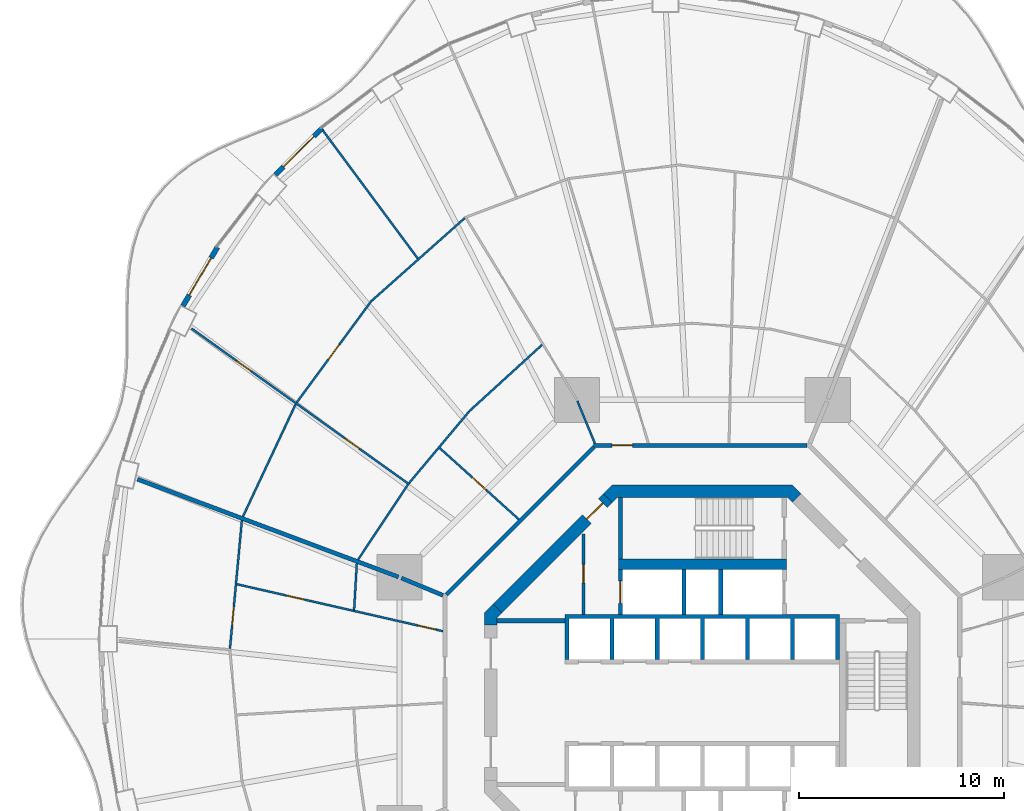
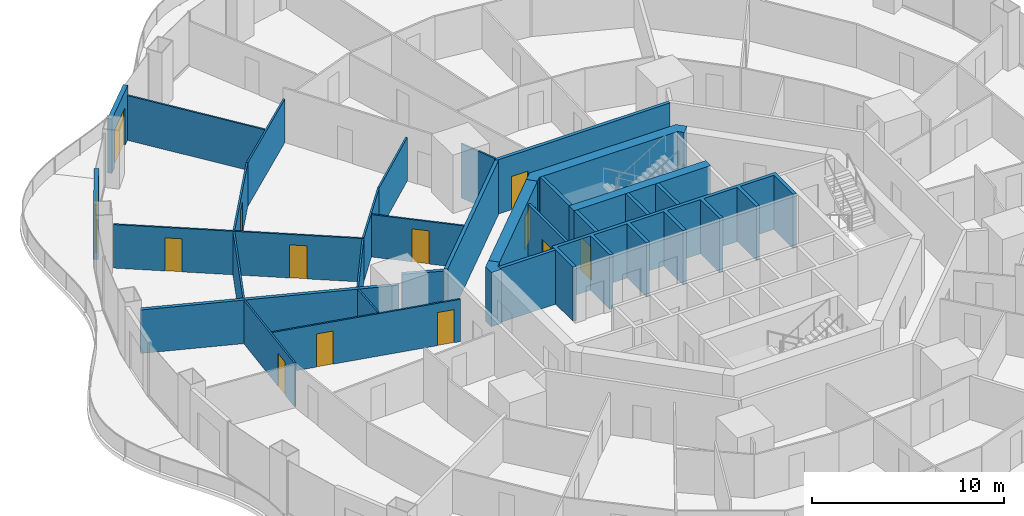
# One storey, part 17 of 22: 30 walls, 13 doors, 13 openings.
"""IFC4 building model written with IfcOpenShell, lengths in metres."""

from ifc_helpers import new_model, si_unit, direction, frame, frame_2d, origin, place, context, subcontext, project, spatial, polyline, rectangle, outline, extrude, material, layer, layer_set, type_object, element, fill, save


model = new_model("IFC4")

# Units and contexts
model_context = context("Model", 3, precision=1e-05, world=origin(), true_north=direction((0.0, 1.0)))
body_context = subcontext(model_context, "Body", "Model", "MODEL_VIEW")
ifc_project = project(units=[si_unit("LENGTHUNIT", "METRE"), si_unit("AREAUNIT", "SQUARE_METRE"), si_unit("VOLUMEUNIT", "CUBIC_METRE"), si_unit("PLANEANGLEUNIT", "RADIAN"), si_unit("MASSUNIT", "GRAM", prefix="KILO")], contexts=[model_context])

# Site, building, storey
site_placement = place(None, origin())
site = spatial("IfcSite", under=ifc_project, at=site_placement, CompositionType="ELEMENT")
building_placement = place(site_placement, origin())
building = spatial("IfcBuilding", under=site, at=building_placement, Name="Nagisa Residences", CompositionType="ELEMENT")
storey_placement = place(building_placement, frame((0.0, 0.0, 88.10009765625)))
storey = spatial("IfcBuildingStorey", under=building, at=storey_placement, Name="L21", CompositionType="ELEMENT", Elevation=88.10009765625)

# Walls
ifc_material_1 = material(Name="Gypsum board on steel studs", Category="steel")
ifc_layer_1 = layer(ifc_material_1, 0.199951171875)
ifc_layer_set_1 = layer_set([ifc_layer_1], Name="Apartment compartment wall EI60 200")
wall_type_1 = type_object("IfcWallType", Name="Apartment compartment wall EI60 200", PredefinedType="PARTITIONING", material=ifc_layer_set_1)
wall_1_placement = place(storey_placement, frame((-12.6572265625, 5.24267578125, 0.0), z_axis=(0.0, 0.0, 1.0), x_axis=(-0.923843626288, 0.382770106157, 0.0)))
element("IfcWall", 1, at=wall_1_placement, inside=storey, type_object=wall_type_1, Name="wall:L21:u02", PredefinedType="PARTITIONING", context=body_context, shape_type="SweptSolid", body=[
    extrude(rectangle(XDim=2.19921875, YDim=0.199951171875, at=frame_2d((1.099609375, 0.0))), origin(), (0.0, 0.0, 1.0), 3.43994140625),
])
wall_2_placement = place(storey_placement, frame((-14.828857421875, 6.140380859375, 0.0), z_axis=(0.0, 0.0, 1.0), x_axis=(-0.936597324342, 0.35040755134, 0.0)))
element("IfcWall", 2, at=wall_2_placement, inside=storey, type_object=wall_type_1, Name="wall:L21:u03", PredefinedType="PARTITIONING", context=body_context, shape_type="SweptSolid", body=[
    extrude(rectangle(XDim=13.605712890625, YDim=0.199951171875, at=frame_2d((6.802734375, 0.0))), origin(), (0.0, 0.0, 1.0), 2.761962890625),
])

# Wall, opening, door
ifc_material_2 = material(Name="Gypsum board on steel studs", Category="steel")
ifc_layer_2 = layer(ifc_material_2, 0.199951171875)
ifc_layer_set_2 = layer_set([ifc_layer_2], Name="Apartment entry wall EI60 200")
wall_type_2 = type_object("IfcWallType", Name="Apartment entry wall EI60 200", PredefinedType="PARTITIONING", material=ifc_layer_set_2)
wall_3_placement = place(storey_placement, frame((5.1044921875, 12.564697265625, 0.0), z_axis=(0.0, 0.0, 1.0), x_axis=(-1.0, 0.0, 0.0)))
wall_3 = element("IfcWall", 3, at=wall_3_placement, inside=storey, type_object=wall_type_2, Name="wall:L21:u12", PredefinedType="PARTITIONING", context=body_context, shape_type="SweptSolid", body=[
    extrude(rectangle(XDim=10.408935546875, YDim=0.199951171875, at=frame_2d((5.20458984375, 0.0))), origin(), (0.0, 0.0, 1.0), 3.43994140625),
])
opening_1_placement = place(wall_3_placement, frame((8.5078125, 0.0, 0.0)))
opening_1 = element("IfcOpeningElement", 4, at=opening_1_placement, cuts=wall_3, Name="Opening L21-U01", PredefinedType="OPENING", context=body_context, shape_type="SweptSolid", body=[
    extrude(rectangle(XDim=1.0, YDim=2.10009765625, at=frame_2d((0.5, 1.050048828125))), frame((0.0, 0.10986328125, 0.0), z_axis=(0.0, -1.0, 0.0), x_axis=(1.0, 0.0, 0.0)), (0.0, 0.0, 1.0), 0.219970703125),
])
ifc_material_3 = material(Name="Timber fire door set", Category="wood")
door_type_1 = type_object("IfcDoorType", Name="Apartment entry door FD30S 1000x2100", OperationType="NOTDEFINED", PredefinedType="DOOR", material=ifc_material_3)
door_1_placement = place(opening_1_placement, frame((1.0, 0.0, 0.0), x_axis=(-1.0, 0.0, 0.0)))
door_1 = element("IfcDoor", 5, at=door_1_placement, inside=storey, type_object=door_type_1, Name="Entry door, Apartment 21A", OperationType="SINGLE_SWING_RIGHT", OverallHeight=2.10009765625, OverallWidth=1.0, PredefinedType="DOOR", context=body_context, shape_type="SweptSolid", body=[
    extrude(rectangle(XDim=1.0, YDim=2.10009765625, at=frame_2d((0.5, 1.050048828125))), frame((0.0, 0.02490234375, 0.0), z_axis=(0.0, -1.0, 0.0), x_axis=(1.0, 0.0, 0.0)), (0.0, 0.0, 1.0), 0.050048828125),
])
fill(opening_1, door_1)

# Walls
wall_4_placement = place(storey_placement, frame((-5.275146484375, 12.494140625, 0.0), z_axis=(0.0, 0.0, 1.0), x_axis=(-0.707106781187, -0.707106781187, 0.0)))
element("IfcWall", 6, at=wall_4_placement, inside=storey, type_object=wall_type_2, Name="wall:L21:u13", PredefinedType="PARTITIONING", context=body_context, shape_type="SweptSolid", body=[
    extrude(rectangle(XDim=10.209228515625, YDim=0.199951171875, at=frame_2d((5.1044921875, 0.0))), origin(), (0.0, 0.0, 1.0), 3.43994140625),
])
ifc_material_4 = material(Name="Gypsum board on steel studs", Category="steel")
ifc_layer_3 = layer(ifc_material_4, 0.10009765625)
ifc_layer_set_3 = layer_set([ifc_layer_3], Name="Apartment partition 100")
wall_type_3 = type_object("IfcWallType", Name="Apartment partition 100", PredefinedType="PARTITIONING", material=ifc_layer_set_3)
wall_5_placement = place(storey_placement, frame((-5.24267578125, 12.6572265625, 0.0), z_axis=(0.0, 0.0, 1.0), x_axis=(-0.382703272338, 0.923871314276, 0.0)))
element("IfcWall", 7, at=wall_5_placement, inside=storey, type_object=wall_type_3, Name="wall:L21:u45", PredefinedType="PARTITIONING", context=body_context, shape_type="SweptSolid", body=[
    extrude(rectangle(XDim=2.249267578125, YDim=0.10009765625, at=frame_2d((1.12451171875, 0.0))), origin(), (0.0, 0.0, 1.0), 3.43994140625),
])
wall_6_placement = place(storey_placement, frame((-7.81982421875, 17.471923828125, 0.0), z_axis=(0.0, 0.0, 1.0), x_axis=(-0.73885182489, -0.67386792538, 0.0)))
element("IfcWall", 8, at=wall_6_placement, inside=storey, type_object=wall_type_3, Name="wall:L21:u47", PredefinedType="PARTITIONING", context=body_context, shape_type="SweptSolid", body=[
    extrude(rectangle(XDim=4.846435546875, YDim=0.10009765625, at=frame_2d((2.42333984375, 0.0))), origin(), (0.0, 0.0, 1.0), 2.761962890625),
])
wall_7_placement = place(storey_placement, frame((-11.5908203125, 23.65966796875, 0.0), z_axis=(0.0, 0.0, 1.0), x_axis=(-0.747429278403, -0.664341383466, 0.0)))
element("IfcWall", 9, at=wall_7_placement, inside=storey, type_object=wall_type_3, Name="wall:L21:u48", PredefinedType="PARTITIONING", context=body_context, shape_type="SweptSolid", body=[
    extrude(rectangle(XDim=6.073486328125, YDim=0.10009765625, at=frame_2d((3.03662109375, 0.0))), origin(), (0.0, 0.0, 1.0), 2.761962890625),
])
wall_8_placement = place(storey_placement, frame((-13.890380859375, 21.682373046875, 0.0), z_axis=(0.0, 0.0, 1.0), x_axis=(-0.595256113594, 0.803536034804, 0.0)))
element("IfcWall", 10, at=wall_8_placement, inside=storey, type_object=wall_type_3, Name="wall:L21:u49", PredefinedType="PARTITIONING", context=body_context, shape_type="SweptSolid", body=[
    extrude(rectangle(XDim=7.971923828125, YDim=0.10009765625, at=frame_2d((3.98583984375, 0.0))), origin(), (0.0, 0.0, 1.0), 2.8369140625),
])
wall_9_placement = place(storey_placement, frame((-11.39599609375, 14.20166015625, 0.0), z_axis=(0.0, 0.0, 1.0), x_axis=(-0.642483859922, -0.766299216847, 0.0)))
element("IfcWall", 11, at=wall_9_placement, inside=storey, type_object=wall_type_3, Name="wall:L21:u50", PredefinedType="PARTITIONING", context=body_context, shape_type="SweptSolid", body=[
    extrude(rectangle(XDim=4.537109375, YDim=0.10009765625, at=frame_2d((2.2685546875, 0.0))), origin(), (0.0, 0.0, 1.0), 2.761962890625),
])

# Wall, opening, door
wall_10_placement = place(storey_placement, frame((-16.137939453125, 19.6318359375, 0.0), z_axis=(0.0, 0.0, 1.0), x_axis=(-0.592401008469, -0.805643249314, 0.0)))
wall_10 = element("IfcWall", 12, at=wall_10_placement, inside=storey, type_object=wall_type_3, Name="wall:L21:u51", PredefinedType="PARTITIONING", context=body_context, shape_type="SweptSolid", body=[
    extrude(rectangle(XDim=6.18017578125, YDim=0.10009765625, at=frame_2d((3.090087890625, 0.0))), origin(), (0.0, 0.0, 1.0), 2.761962890625),
])
opening_2_placement = place(wall_10_placement, frame((2.6650390625, 0.0, 0.0)))
opening_2 = element("IfcOpeningElement", 13, at=opening_2_placement, cuts=wall_10, Name="Opening L21-U12", PredefinedType="OPENING", context=body_context, shape_type="SweptSolid", body=[
    extrude(rectangle(XDim=0.89990234375, YDim=2.10009765625, at=frame_2d((0.449951171875, 1.050048828125))), frame((0.0, 0.06005859375, 0.0), z_axis=(0.0, -1.0, 0.0), x_axis=(1.0, 0.0, 0.0)), (0.0, 0.0, 1.0), 0.1201171875),
])
ifc_material_5 = material(Name="Timber door set", Category="wood")
door_type_2 = type_object("IfcDoorType", Name="Apartment door 900x2100", OperationType="NOTDEFINED", PredefinedType="DOOR", material=ifc_material_5)
door_2_placement = place(opening_2_placement, frame((0.89990234375, 0.0, 0.0), x_axis=(-1.0, 0.0, 0.0)))
door_2 = element("IfcDoor", 14, at=door_2_placement, inside=storey, type_object=door_type_2, Name="Door to living room, Apartment 21A", OperationType="SINGLE_SWING_LEFT", OverallHeight=2.10009765625, OverallWidth=0.89990234375, PredefinedType="DOOR", context=body_context, shape_type="SweptSolid", body=[
    extrude(rectangle(XDim=0.89990234375, YDim=2.10009765625, at=frame_2d((0.449951171875, 1.050048828125))), frame((0.0, 0.02490234375, 0.0), z_axis=(0.0, -1.0, 0.0), x_axis=(1.0, 0.0, 0.0)), (0.0, 0.0, 1.0), 0.050048828125),
])
fill(opening_2, door_2)

wall_11_placement = place(storey_placement, frame((-8.958984375, 8.95166015625, 0.0), z_axis=(0.0, 0.0, 1.0), x_axis=(-0.742686144764, 0.669639672045, 0.0)))
wall_11 = element("IfcWall", 15, at=wall_11_placement, inside=storey, type_object=wall_type_3, Name="wall:L21:u52", PredefinedType="PARTITIONING", context=body_context, shape_type="SweptSolid", body=[
    extrude(rectangle(XDim=5.19384765625, YDim=0.10009765625, at=frame_2d((2.596923828125, 0.0))), origin(), (0.0, 0.0, 1.0), 2.68701171875),
])
opening_3_placement = place(wall_11_placement, frame((2.14697265625, 0.0, 0.0)))
opening_3 = element("IfcOpeningElement", 16, at=opening_3_placement, cuts=wall_11, Name="Opening L21-U04", PredefinedType="OPENING", context=body_context, shape_type="SweptSolid", body=[
    extrude(rectangle(XDim=0.89990234375, YDim=2.10009765625, at=frame_2d((0.449951171875, 1.050048828125))), frame((0.0, 0.06005859375, 0.0), z_axis=(0.0, -1.0, 0.0), x_axis=(1.0, 0.0, 0.0)), (0.0, 0.0, 1.0), 0.1201171875),
])
door_3_placement = place(opening_3_placement, origin())
door_3 = element("IfcDoor", 17, at=door_3_placement, inside=storey, type_object=door_type_2, Name="Door to laundry, Apartment 21A", OperationType="SINGLE_SWING_RIGHT", OverallHeight=2.10009765625, OverallWidth=0.89990234375, PredefinedType="DOOR", context=body_context, shape_type="SweptSolid", body=[
    extrude(rectangle(XDim=0.89990234375, YDim=2.10009765625, at=frame_2d((0.449951171875, 1.050048828125))), frame((0.0, 0.02490234375, 0.0), z_axis=(0.0, -1.0, 0.0), x_axis=(1.0, 0.0, 0.0)), (0.0, 0.0, 1.0), 0.050048828125),
])
fill(opening_3, door_3)

# Wall, openings, doors
wall_12_placement = place(storey_placement, frame((-14.302490234375, 10.657470703125, 0.0), z_axis=(0.0, 0.0, 1.0), x_axis=(-0.813183002698, 0.582008079087, 0.0)))
wall_12 = element("IfcWall", 18, at=wall_12_placement, inside=storey, type_object=wall_type_3, Name="wall:L21:u53", PredefinedType="PARTITIONING", context=body_context, shape_type="SweptSolid", body=[
    extrude(rectangle(XDim=13.074462890625, YDim=0.10009765625, at=frame_2d((6.537109375, 0.0))), origin(), (0.0, 0.0, 1.0), 2.761962890625),
])
opening_4_placement = place(wall_12_placement, frame((2.972900390625, 0.0, 0.0)))
opening_4 = element("IfcOpeningElement", 19, at=opening_4_placement, cuts=wall_12, Name="Opening L21-U08", PredefinedType="OPENING", context=body_context, shape_type="SweptSolid", body=[
    extrude(rectangle(XDim=0.89990234375, YDim=2.10009765625, at=frame_2d((0.449951171875, 1.050048828125))), frame((0.0, 0.06005859375, 0.0), z_axis=(0.0, -1.0, 0.0), x_axis=(1.0, 0.0, 0.0)), (0.0, 0.0, 1.0), 0.1201171875),
])
opening_5_placement = place(wall_12_placement, frame((9.485107421875, 0.0, 0.0)))
opening_5 = element("IfcOpeningElement", 20, at=opening_5_placement, cuts=wall_12, Name="Opening L21-U13", PredefinedType="OPENING", context=body_context, shape_type="SweptSolid", body=[
    extrude(rectangle(XDim=0.89990234375, YDim=2.10009765625, at=frame_2d((0.449951171875, 1.050048828125))), frame((0.0, 0.06005859375, 0.0), z_axis=(0.0, -1.0, 0.0), x_axis=(1.0, 0.0, 0.0)), (0.0, 0.0, 1.0), 0.1201171875),
])
door_4_placement = place(opening_4_placement, origin())
door_4 = element("IfcDoor", 21, at=door_4_placement, inside=storey, type_object=door_type_2, Name="Door to study, Apartment 21A", OperationType="SINGLE_SWING_RIGHT", OverallHeight=2.10009765625, OverallWidth=0.89990234375, PredefinedType="DOOR", context=body_context, shape_type="SweptSolid", body=[
    extrude(rectangle(XDim=0.89990234375, YDim=2.10009765625, at=frame_2d((0.449951171875, 1.050048828125))), frame((0.0, 0.02490234375, 0.0), z_axis=(0.0, -1.0, 0.0), x_axis=(1.0, 0.0, 0.0)), (0.0, 0.0, 1.0), 0.050048828125),
])
fill(opening_4, door_4)
door_5_placement = place(opening_5_placement, origin())
door_5 = element("IfcDoor", 22, at=door_5_placement, inside=storey, type_object=door_type_2, Name="Door to master bedroom, Apartment 21A", OperationType="SINGLE_SWING_LEFT", OverallHeight=2.10009765625, OverallWidth=0.89990234375, PredefinedType="DOOR", context=body_context, shape_type="SweptSolid", body=[
    extrude(rectangle(XDim=0.89990234375, YDim=2.10009765625, at=frame_2d((0.449951171875, 1.050048828125))), frame((0.0, 0.02490234375, 0.0), z_axis=(0.0, -1.0, 0.0), x_axis=(1.0, 0.0, 0.0)), (0.0, 0.0, 1.0), 0.050048828125),
])
fill(opening_5, door_5)

# Walls
wall_13_placement = place(storey_placement, frame((-14.370849609375, 10.64501953125, 0.0), z_axis=(0.0, 0.0, 1.0), x_axis=(-0.553341009285, -0.832954817168, 0.0)))
element("IfcWall", 23, at=wall_13_placement, inside=storey, type_object=wall_type_3, Name="wall:L21:u54", PredefinedType="PARTITIONING", context=body_context, shape_type="SweptSolid", body=[
    extrude(rectangle(XDim=4.396240234375, YDim=0.10009765625, at=frame_2d((2.1982421875, 0.0))), origin(), (0.0, 0.0, 1.0), 2.761962890625),
])
wall_14_placement = place(storey_placement, frame((-19.85009765625, 14.5673828125, 0.0), z_axis=(0.0, 0.0, 1.0), x_axis=(-0.424942210745, -0.905220480064, 0.0)))
element("IfcWall", 24, at=wall_14_placement, inside=storey, type_object=wall_type_3, Name="wall:L21:u55", PredefinedType="PARTITIONING", context=body_context, shape_type="SweptSolid", body=[
    extrude(rectangle(XDim=6.05322265625, YDim=0.10009765625, at=frame_2d((3.026611328125, 0.0))), origin(), (0.0, 0.0, 1.0), 2.761962890625),
])
wall_15_placement = place(storey_placement, frame((-16.864501953125, 6.800048828125, 0.0), z_axis=(0.0, 0.0, 1.0), x_axis=(-0.057751176984, -0.998331008011, 0.0)))
element("IfcWall", 25, at=wall_15_placement, inside=storey, type_object=wall_type_3, Name="wall:L21:u56", PredefinedType="PARTITIONING", context=body_context, shape_type="SweptSolid", body=[
    extrude(rectangle(XDim=2.2998046875, YDim=0.10009765625, at=frame_2d((1.14990234375, 0.0))), origin(), (0.0, 0.0, 1.0), 2.761962890625),
])

# Wall, opening, door
wall_16_placement = place(storey_placement, frame((-22.47412109375, 8.897705078125, 0.0), z_axis=(0.0, 0.0, 1.0), x_axis=(-0.092756864489, -0.995688788774, 0.0)))
wall_16 = element("IfcWall", 26, at=wall_16_placement, inside=storey, type_object=wall_type_3, Name="wall:L21:u57", PredefinedType="PARTITIONING", context=body_context, shape_type="SweptSolid", body=[
    extrude(rectangle(XDim=6.28271484375, YDim=0.10009765625, at=frame_2d((3.141357421875, 0.0))), origin(), (0.0, 0.0, 1.0), 2.761962890625),
])
opening_6_placement = place(wall_16_placement, frame((4.24951171875, 0.0, 0.0)))
opening_6 = element("IfcOpeningElement", 27, at=opening_6_placement, cuts=wall_16, Name="Opening L21-U22", PredefinedType="OPENING", context=body_context, shape_type="SweptSolid", body=[
    extrude(rectangle(XDim=0.89990234375, YDim=2.10009765625, at=frame_2d((0.449951171875, 1.050048828125))), frame((0.0, 0.06005859375, 0.0), z_axis=(0.0, -1.0, 0.0), x_axis=(1.0, 0.0, 0.0)), (0.0, 0.0, 1.0), 0.1201171875),
])
door_6_placement = place(opening_6_placement, frame((0.89990234375, 0.0, 0.0), x_axis=(-1.0, 0.0, 0.0)))
door_6 = element("IfcDoor", 28, at=door_6_placement, inside=storey, type_object=door_type_2, Name="Door to master bedroom, Apartment 21B", OperationType="SINGLE_SWING_LEFT", OverallHeight=2.10009765625, OverallWidth=0.89990234375, PredefinedType="DOOR", context=body_context, shape_type="SweptSolid", body=[
    extrude(rectangle(XDim=0.89990234375, YDim=2.10009765625, at=frame_2d((0.449951171875, 1.050048828125))), frame((0.0, 0.02490234375, 0.0), z_axis=(0.0, -1.0, 0.0), x_axis=(1.0, 0.0, 0.0)), (0.0, 0.0, 1.0), 0.050048828125),
])
fill(opening_6, door_6)

# Wall, openings, doors
wall_17_placement = place(storey_placement, frame((-12.662353515625, 3.491943359375, 0.0), z_axis=(0.0, 0.0, 1.0), x_axis=(-0.974981662956, 0.22228530518, 0.0)))
wall_17 = element("IfcWall", 29, at=wall_17_placement, inside=storey, type_object=wall_type_3, Name="wall:L21:u58", PredefinedType="PARTITIONING", context=body_context, shape_type="SweptSolid", body=[
    extrude(rectangle(XDim=10.31005859375, YDim=0.10009765625, at=frame_2d((5.155029296875, 0.0))), origin(), (0.0, 0.0, 1.0), 2.68701171875),
])
opening_7_placement = place(wall_17_placement, frame((0.35009765625, 0.0, 0.0)))
opening_7 = element("IfcOpeningElement", 30, at=opening_7_placement, cuts=wall_17, Name="Opening L21-U18", PredefinedType="OPENING", context=body_context, shape_type="SweptSolid", body=[
    extrude(rectangle(XDim=0.89990234375, YDim=2.10009765625, at=frame_2d((0.449951171875, 1.050048828125))), frame((0.0, 0.06005859375, 0.0), z_axis=(0.0, -1.0, 0.0), x_axis=(1.0, 0.0, 0.0)), (0.0, 0.0, 1.0), 0.1201171875),
])
opening_8_placement = place(wall_17_placement, frame((6.930908203125, 0.0, 0.0)))
opening_8 = element("IfcOpeningElement", 31, at=opening_8_placement, cuts=wall_17, Name="Opening L21-U20", PredefinedType="OPENING", context=body_context, shape_type="SweptSolid", body=[
    extrude(rectangle(XDim=0.89990234375, YDim=2.10009765625, at=frame_2d((0.449951171875, 1.050048828125))), frame((0.0, 0.06005859375, 0.0), z_axis=(0.0, -1.0, 0.0), x_axis=(1.0, 0.0, 0.0)), (0.0, 0.0, 1.0), 0.1201171875),
])
door_7_placement = place(opening_7_placement, frame((0.89990234375, 0.0, 0.0), x_axis=(-1.0, 0.0, 0.0)))
door_7 = element("IfcDoor", 32, at=door_7_placement, inside=storey, type_object=door_type_2, Name="Door to family bathroom, Apartment 21B", OperationType="SINGLE_SWING_LEFT", OverallHeight=2.10009765625, OverallWidth=0.89990234375, PredefinedType="DOOR", context=body_context, shape_type="SweptSolid", body=[
    extrude(rectangle(XDim=0.89990234375, YDim=2.10009765625, at=frame_2d((0.449951171875, 1.050048828125))), frame((0.0, 0.02490234375, 0.0), z_axis=(0.0, -1.0, 0.0), x_axis=(1.0, 0.0, 0.0)), (0.0, 0.0, 1.0), 0.050048828125),
])
fill(opening_7, door_7)
door_8_placement = place(opening_8_placement, frame((0.89990234375, 0.0, 0.0), x_axis=(-1.0, 0.0, 0.0)))
door_8 = element("IfcDoor", 33, at=door_8_placement, inside=storey, type_object=door_type_2, Name="Door to family bathroom, Apartment 21B", OperationType="SINGLE_SWING_LEFT", OverallHeight=2.10009765625, OverallWidth=0.89990234375, PredefinedType="DOOR", context=body_context, shape_type="SweptSolid", body=[
    extrude(rectangle(XDim=0.89990234375, YDim=2.10009765625, at=frame_2d((0.449951171875, 1.050048828125))), frame((0.0, 0.02490234375, 0.0), z_axis=(0.0, -1.0, 0.0), x_axis=(1.0, 0.0, 0.0)), (0.0, 0.0, 1.0), 0.050048828125),
])
fill(opening_8, door_8)

# Wall, opening, door
ifc_material_6 = material(Name="Precast concrete C40/50", Category="concrete")
ifc_layer_4 = layer(ifc_material_6, 0.25)
ifc_layer_set_4 = layer_set([ifc_layer_4], Name="BALCONY DOOR WALL 250")
wall_type_4 = type_object("IfcWallType", Name="BALCONY DOOR WALL 250", PredefinedType="SOLIDWALL", material=ifc_layer_set_4)
wall_18_placement = place(storey_placement, frame((-20.8349609375, 25.772705078125, 0.0), z_axis=(0.0, 0.0, 1.0), x_axis=(0.707831646613, 0.706381171927, 0.0)))
wall_18 = element("IfcWall", 34, at=wall_18_placement, inside=storey, type_object=wall_type_4, Name="wall:L21:bay17", PredefinedType="SOLIDWALL", context=body_context, shape_type="SweptSolid", body=[
    extrude(rectangle(XDim=3.197998046875, YDim=0.25, at=frame_2d((1.59912109375, 0.0))), origin(), (0.0, 0.0, 1.0), 3.43994140625),
])
opening_9_placement = place(wall_18_placement, frame((0.548828125, 0.0, 0.0)))
opening_9 = element("IfcOpeningElement", 35, at=opening_9_placement, cuts=wall_18, Name="Opening BD-L21-06", PredefinedType="OPENING", context=body_context, shape_type="SweptSolid", body=[
    extrude(rectangle(XDim=2.10009765625, YDim=2.39990234375, at=frame_2d((1.050048828125, 1.199951171875))), frame((0.0, 0.135009765625, 0.0), z_axis=(0.0, -1.0, 0.0), x_axis=(1.0, 0.0, 0.0)), (0.0, 0.0, 1.0), 0.27001953125),
])
ifc_material_7 = material(Name="Aluminium and clear glass", Category="aluminium")
door_type_3 = type_object("IfcDoorType", Name="BALCONY SLIDING DOOR 2100x2400", OperationType="SLIDING_TO_LEFT", PredefinedType="DOOR", material=ifc_material_7)
door_9_placement = place(opening_9_placement, origin())
door_9 = element("IfcDoor", 36, at=door_9_placement, inside=storey, type_object=door_type_3, Name="door:L21:bay17", OperationType="SLIDING_TO_LEFT", OverallHeight=2.39990234375, OverallWidth=2.10009765625, PredefinedType="DOOR", context=body_context, shape_type="SweptSolid", body=[
    extrude(rectangle(XDim=2.10009765625, YDim=2.39990234375, at=frame_2d((1.050048828125, 1.199951171875))), frame((0.0, 0.02490234375, 0.0), z_axis=(0.0, -1.0, 0.0), x_axis=(1.0, 0.0, 0.0)), (0.0, 0.0, 1.0), 0.050048828125),
])
fill(opening_9, door_9)

wall_19_placement = place(storey_placement, frame((-25.34765625, 19.372314453125, 0.0), z_axis=(0.0, 0.0, 1.0), x_axis=(0.506352525095, 0.86232657406, 0.0)))
wall_19 = element("IfcWall", 37, at=wall_19_placement, inside=storey, type_object=wall_type_4, Name="wall:L21:bay19", PredefinedType="SOLIDWALL", context=body_context, shape_type="SweptSolid", body=[
    extrude(rectangle(XDim=3.324951171875, YDim=0.25, at=frame_2d((1.66259765625, 0.0))), origin(), (0.0, 0.0, 1.0), 3.43994140625),
])
opening_10_placement = place(wall_19_placement, frame((0.6123046875, 0.0, 0.0)))
opening_10 = element("IfcOpeningElement", 38, at=opening_10_placement, cuts=wall_19, Name="Opening BD-L21-07", PredefinedType="OPENING", context=body_context, shape_type="SweptSolid", body=[
    extrude(rectangle(XDim=2.10009765625, YDim=2.39990234375, at=frame_2d((1.050048828125, 1.199951171875))), frame((0.0, 0.135009765625, 0.0), z_axis=(0.0, -1.0, 0.0), x_axis=(1.0, 0.0, 0.0)), (0.0, 0.0, 1.0), 0.27001953125),
])
door_10_placement = place(opening_10_placement, origin())
door_10 = element("IfcDoor", 39, at=door_10_placement, inside=storey, type_object=door_type_3, Name="door:L21:bay19", OperationType="SLIDING_TO_LEFT", OverallHeight=2.39990234375, OverallWidth=2.10009765625, PredefinedType="DOOR", context=body_context, shape_type="SweptSolid", body=[
    extrude(rectangle(XDim=2.10009765625, YDim=2.39990234375, at=frame_2d((1.050048828125, 1.199951171875))), frame((0.0, 0.02490234375, 0.0), z_axis=(0.0, -1.0, 0.0), x_axis=(1.0, 0.0, 0.0)), (0.0, 0.0, 1.0), 0.050048828125),
])
fill(opening_10, door_10)

ifc_material_8 = material(Name="Gypsum board on steel studs", Category="steel")
ifc_layer_5 = layer(ifc_material_8, 0.14990234375)
ifc_layer_set_5 = layer_set([ifc_layer_5], Name="Core partition 150")
wall_type_5 = type_object("IfcWallType", Name="Core partition 150", PredefinedType="PARTITIONING", material=ifc_layer_set_5)
wall_20_placement = place(storey_placement, frame((-5.800048828125, 4.300048828125, 0.0), z_axis=(0.0, 0.0, 1.0), x_axis=(0.0, 1.0, 0.0)))
wall_20 = element("IfcWall", 40, at=wall_20_placement, inside=storey, type_object=wall_type_5, Name="wall:L21:NWp", PredefinedType="PARTITIONING", context=body_context, shape_type="SweptSolid", body=[
    extrude(rectangle(XDim=3.927001953125, YDim=0.14990234375, at=frame_2d((1.96337890625, 0.0))), origin(), (0.0, 0.0, 1.0), 3.43994140625),
])
opening_11_placement = place(wall_20_placement, frame((1.551025390625, 0.0, 0.0)))
opening_11 = element("IfcOpeningElement", 41, at=opening_11_placement, cuts=wall_20, Name="Opening L21-C12", PredefinedType="OPENING", context=body_context, shape_type="SweptSolid", body=[
    extrude(rectangle(XDim=0.89990234375, YDim=2.10009765625, at=frame_2d((0.449951171875, 1.050048828125))), frame((0.0, 0.0849609375, 0.0), z_axis=(0.0, -1.0, 0.0), x_axis=(1.0, 0.0, 0.0)), (0.0, 0.0, 1.0), 0.169921875),
])
ifc_material_9 = material(Name="Steel fire door", Category="steel")
door_type_4 = type_object("IfcDoorType", Name="Fire door EI30 900x2100 single swing", OperationType="NOTDEFINED", PredefinedType="DOOR", material=ifc_material_9)
door_11_placement = place(opening_11_placement, origin())
door_11 = element("IfcDoor", 42, at=door_11_placement, inside=storey, type_object=door_type_4, Name="Linen store door L21", OperationType="SINGLE_SWING_RIGHT", OverallHeight=2.10009765625, OverallWidth=0.89990234375, PredefinedType="DOOR", context=body_context, shape_type="SweptSolid", body=[
    extrude(rectangle(XDim=0.89990234375, YDim=2.10009765625, at=frame_2d((0.449951171875, 1.050048828125))), frame((0.0, 0.02490234375, 0.0), z_axis=(0.0, -1.0, 0.0), x_axis=(1.0, 0.0, 0.0)), (0.0, 0.0, 1.0), 0.050048828125),
])
fill(opening_11, door_11)

# Wall
ifc_material_10 = material(Name="Gypsum board on steel studs", Category="steel")
ifc_layer_6 = layer(ifc_material_10, 0.199951171875)
ifc_layer_set_6 = layer_set([ifc_layer_6], Name="Core partition 200")
wall_type_6 = type_object("IfcWallType", Name="Core partition 200", PredefinedType="PARTITIONING", material=ifc_layer_set_6)
wall_21_placement = place(storey_placement, frame((-10.024658203125, 4.0, 0.0), z_axis=(0.0, 0.0, 1.0), x_axis=(1.0, 0.0, 0.0)))
element("IfcWall", 43, at=wall_21_placement, inside=storey, type_object=wall_type_6, Name="wall:L21:PNW", PredefinedType="PARTITIONING", context=body_context, shape_type="SweptSolid", body=[
    extrude(rectangle(XDim=3.32470703125, YDim=0.199951171875, at=frame_2d((1.662353515625, 0.0))), origin(), (0.0, 0.0, 1.0), 3.43994140625),
])

# Wall, opening, door
ifc_material_11 = material(Name="Concrete C60", Category="concrete")
ifc_layer_7 = layer(ifc_material_11, 0.60009765625)
ifc_layer_set_7 = layer_set([ifc_layer_7], Name="Core shear wall 600")
wall_type_7 = type_object("IfcWallType", Name="Core shear wall 600", PredefinedType="SHEAR", material=ifc_layer_set_7)
wall_22_placement = place(storey_placement, frame((-4.613037109375, 9.98828125, 0.0), z_axis=(0.0, 0.0, 1.0), x_axis=(-0.707106781187, -0.707106781187, 0.0)))
wall_22 = element("IfcWall", 44, at=wall_22_placement, inside=storey, type_object=wall_type_7, Name="wall:L21:core:flat3", PredefinedType="SHEAR", context=body_context, shape_type="SweptSolid", body=[
    extrude(rectangle(XDim=7.601806640625, YDim=0.60009765625, at=frame_2d((3.80078125, 0.0))), origin(), (0.0, 0.0, 1.0), 3.43994140625),
])
opening_12_placement = place(wall_22_placement, frame((0.350830078125, 0.0, 0.0)))
opening_12 = element("IfcOpeningElement", 45, at=opening_12_placement, cuts=wall_22, Name="Opening L21-C20", PredefinedType="OPENING", context=body_context, shape_type="SweptSolid", body=[
    extrude(rectangle(XDim=1.10009765625, YDim=2.10009765625, at=frame_2d((0.550048828125, 1.050048828125))), frame((0.0, 0.31005859375, 0.0), z_axis=(0.0, -1.0, 0.0), x_axis=(1.0, 0.0, 0.0)), (0.0, 0.0, 1.0), 0.6201171875),
])
ifc_material_12 = material(Name="Steel fire door", Category="steel")
door_type_5 = type_object("IfcDoorType", Name="Fire door EI60 1100x2100 single swing", OperationType="NOTDEFINED", PredefinedType="DOOR", material=ifc_material_12)
door_12_placement = place(opening_12_placement, origin())
door_12 = element("IfcDoor", 46, at=door_12_placement, inside=storey, type_object=door_type_5, Name="Service lobby door L21", OperationType="SINGLE_SWING_LEFT", OverallHeight=2.10009765625, OverallWidth=1.10009765625, PredefinedType="DOOR", context=body_context, shape_type="SweptSolid", body=[
    extrude(rectangle(XDim=1.10009765625, YDim=2.10009765625, at=frame_2d((0.550048828125, 1.050048828125))), frame((0.0, 0.02490234375, 0.0), z_axis=(0.0, -1.0, 0.0), x_axis=(1.0, 0.0, 0.0)), (0.0, 0.0, 1.0), 0.050048828125),
])
fill(opening_12, door_12)

# Walls
wall_23_placement = place(storey_placement, origin())
element("IfcWall", 47, at=wall_23_placement, inside=storey, type_object=wall_type_7, Name="wall:L21:core:pier3", PredefinedType="SHEAR", context=body_context, shape_type="SweptSolid", body=[
    extrude(outline(polyline([(-10.200439453125, 4.8251953125), (-9.776123046875, 4.40087890625), (-10.024658203125, 4.15234375), (-10.024658203125, 3.80078125), (-10.62451171875, 3.80078125), (-10.62451171875, 4.40087890625), (-10.200439453125, 4.8251953125)])), origin(), (0.0, 0.0, 1.0), 3.43994140625),
])
wall_24_placement = place(storey_placement, origin())
element("IfcWall", 48, at=wall_24_placement, inside=storey, type_object=wall_type_7, Name="wall:L21:core:flat2", PredefinedType="SHEAR", context=body_context, shape_type="SweptSolid", body=[
    extrude(outline(polyline([(-4.15234375, 10.024658203125), (-4.40087890625, 9.776123046875), (-4.8251953125, 10.200439453125), (-4.40087890625, 10.62451171875), (4.40087890625, 10.62451171875), (4.8251953125, 10.200439453125), (4.40087890625, 9.776123046875), (4.15234375, 10.024658203125), (-4.15234375, 10.024658203125)])), origin(), (0.0, 0.0, 1.0), 3.43994140625),
])

# Wall, opening, door
ifc_material_13 = material(Name="Concrete C60", Category="concrete")
ifc_layer_8 = layer(ifc_material_13, 0.199951171875)
ifc_layer_set_8 = layer_set([ifc_layer_8], Name="Lift shaft wall 200")
wall_type_8 = type_object("IfcWallType", Name="Lift shaft wall 200", PredefinedType="SOLIDWALL", material=ifc_layer_set_8)
wall_25_placement = place(storey_placement, frame((-4.0, 4.300048828125, 0.0), z_axis=(0.0, 0.0, 1.0), x_axis=(0.0, 1.0, 0.0)))
wall_25 = element("IfcWall", 49, at=wall_25_placement, inside=storey, type_object=wall_type_8, Name="wall:L21:Nb4", PredefinedType="SOLIDWALL", context=body_context, shape_type="SweptSolid", body=[
    extrude(rectangle(XDim=2.199951171875, YDim=0.199951171875, at=frame_2d((1.10009765625, 0.0))), origin(), (0.0, 0.0, 1.0), 3.43994140625),
])
opening_13_placement = place(wall_25_placement, frame((0.550048828125, 0.0, 0.0)))
opening_13 = element("IfcOpeningElement", 50, at=opening_13_placement, cuts=wall_25, Name="Opening L21-C08", PredefinedType="OPENING", context=body_context, shape_type="SweptSolid", body=[
    extrude(rectangle(XDim=1.10009765625, YDim=2.10009765625, at=frame_2d((0.550048828125, 1.050048828125))), frame((0.0, 0.10986328125, 0.0), z_axis=(0.0, -1.0, 0.0), x_axis=(1.0, 0.0, 0.0)), (0.0, 0.0, 1.0), 0.219970703125),
])
ifc_material_14 = material(Name="Stainless steel", Category="steel")
door_type_6 = type_object("IfcDoorType", Name="Lift landing door 1100x2100", OperationType="DOUBLE_DOOR_SLIDING", PredefinedType="DOOR", material=ifc_material_14)
door_13_placement = place(opening_13_placement, origin())
door_13 = element("IfcDoor", 51, at=door_13_placement, inside=storey, type_object=door_type_6, Name="Landing door SV L21", OperationType="DOUBLE_DOOR_SLIDING", OverallHeight=2.10009765625, OverallWidth=1.10009765625, PredefinedType="DOOR", context=body_context, shape_type="SweptSolid", body=[
    extrude(rectangle(XDim=1.10009765625, YDim=2.10009765625, at=frame_2d((0.550048828125, 1.050048828125))), frame((0.0, 0.02490234375, 0.0), z_axis=(0.0, -1.0, 0.0), x_axis=(1.0, 0.0, 0.0)), (0.0, 0.0, 1.0), 0.050048828125),
])
fill(opening_13, door_13)

# Walls
for number, where, z_axis, x_axis, name in (
    (52, (-0.89990234375, 4.300048828125, 0.0), (0.0, 0.0, 1.0), (0.0, 1.0, 0.0), "wall:L21:Nb1"),
    (53, (0.89990234375, 4.300048828125, 0.0), (0.0, 0.0, 1.0), (0.0, 1.0, 0.0), "wall:L21:Nb2"),
):
    element("IfcWall", number, at=place(storey_placement, frame(where, z_axis=z_axis, x_axis=x_axis)), inside=storey, type_object=wall_type_8, Name=name, PredefinedType="SOLIDWALL", context=body_context, shape_type="SweptSolid", body=[
        extrude(rectangle(XDim=2.199951171875, YDim=0.199951171875, at=frame_2d((1.10009765625, 0.0))), origin(), (0.0, 0.0, 1.0), 3.43994140625),
    ])
wall_26_placement = place(storey_placement, origin())
element("IfcWall", 54, at=wall_26_placement, inside=storey, type_object=wall_type_8, Name="wall:L21:Nback", PredefinedType="SOLIDWALL", context=body_context, shape_type="SweptSolid", body=[
    extrude(outline(polyline([(-6.5, 2.10009765625), (-6.699951171875, 2.10009765625), (-6.699951171875, 4.300048828125), (6.699951171875, 4.300048828125), (6.699951171875, 2.10009765625), (6.5, 2.10009765625), (6.5, 4.10009765625), (4.5, 4.10009765625), (4.5, 2.10009765625), (4.300048828125, 2.10009765625), (4.300048828125, 4.10009765625), (2.300048828125, 4.10009765625), (2.300048828125, 2.10009765625), (2.10009765625, 2.10009765625), (2.10009765625, 4.10009765625), (0.10009765625, 4.10009765625), (0.10009765625, 2.10009765625), (-0.10009765625, 2.10009765625), (-0.10009765625, 4.10009765625), (-2.10009765625, 4.10009765625), (-2.10009765625, 2.10009765625), (-2.300048828125, 2.10009765625), (-2.300048828125, 4.10009765625), (-4.300048828125, 4.10009765625), (-4.300048828125, 2.10009765625), (-4.5, 2.10009765625), (-4.5, 4.10009765625), (-6.5, 4.10009765625), (-6.5, 2.10009765625)])), origin(), (0.0, 0.0, 1.0), 3.43994140625),
])
ifc_material_15 = material(Name="Concrete C60", Category="concrete")
ifc_layer_9 = layer(ifc_material_15, 0.199951171875)
ifc_layer_set_9 = layer_set([ifc_layer_9], Name="Stair enclosure wall 200")
wall_type_9 = type_object("IfcWallType", Name="Stair enclosure wall 200", PredefinedType="SOLIDWALL", material=ifc_layer_set_9)
wall_27_placement = place(storey_placement, origin())
element("IfcWall", 55, at=wall_27_placement, inside=storey, type_object=wall_type_9, Name="wall:L21:SN_w", PredefinedType="SOLIDWALL", context=body_context, shape_type="SweptSolid", body=[
    extrude(outline(polyline([(-3.89990234375, 7.024658203125), (-4.10009765625, 7.024658203125), (-4.10009765625, 10.024658203125), (-3.89990234375, 10.024658203125), (-3.89990234375, 7.024658203125)])), origin(), (0.0, 0.0, 1.0), 3.43994140625),
])
wall_28_placement = place(storey_placement, origin())
element("IfcWall", 56, at=wall_28_placement, inside=storey, type_object=wall_type_9, Name="wall:L21:SN_s", PredefinedType="SOLIDWALL", context=body_context, shape_type="SweptSolid", body=[
    extrude(outline(polyline([(4.10009765625, 6.5), (-4.10009765625, 6.5), (-4.10009765625, 7.024658203125), (4.10009765625, 7.024658203125), (4.10009765625, 6.5)])), origin(), (0.0, 0.0, 1.0), 3.43994140625),
])

save(model, "model.ifc")
